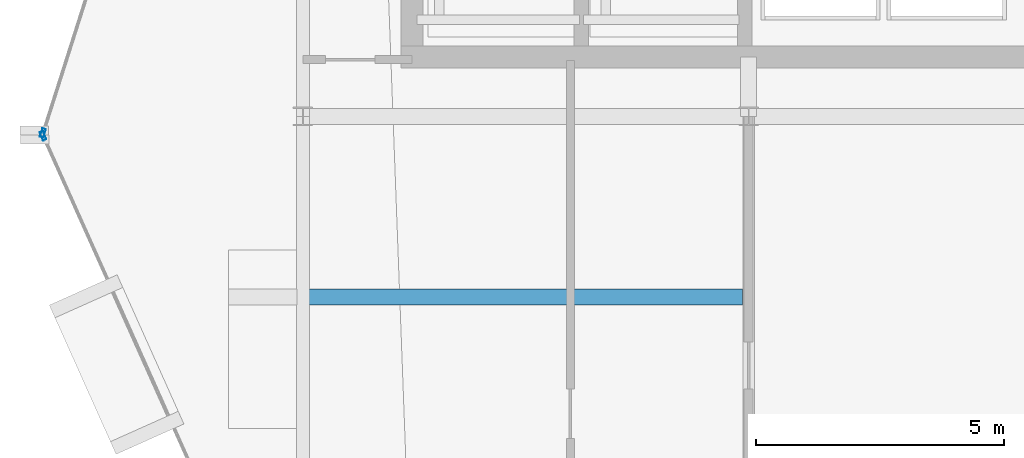
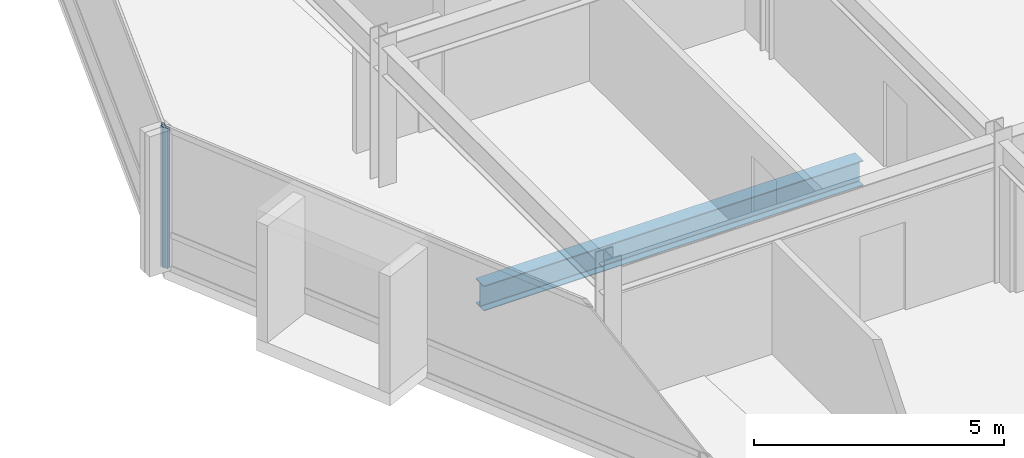
# One storey, part 6 of 19: 2 members, 1 beam, 2 elements without a shape of their own.
"""IFC4 building model written with IfcOpenShell, lengths in metres."""

from ifc_helpers import new_model, si_unit, direction, frame, origin, origin_2d, place, context, subcontext, project, spatial, hollow_rectangle, i_section, extrude, material, layer, layer_set, material_profile, profile_set, type_object, element, aggregate, save


model = new_model("IFC4")

# Units and contexts
model_context = context("Model", 3, precision=1e-05, world=origin(), true_north=direction((0.0, 1.0)))
body_context = subcontext(model_context, "Body", "Model", "MODEL_VIEW")
ifc_project = project(units=[si_unit("LENGTHUNIT", "METRE"), si_unit("AREAUNIT", "SQUARE_METRE"), si_unit("VOLUMEUNIT", "CUBIC_METRE"), si_unit("PLANEANGLEUNIT", "RADIAN"), si_unit("MASSUNIT", "GRAM", prefix="KILO")], contexts=[model_context])

# Site, building, storey
site_placement = place(None, origin())
site = spatial("IfcSite", under=ifc_project, at=site_placement, CompositionType="ELEMENT")
building_placement = place(site_placement, origin())
building = spatial("IfcBuilding", under=site, at=building_placement, Name="Solvaryn Broadcast Tower", CompositionType="ELEMENT")
storey_placement = place(building_placement, frame((0.0, 0.0, 270.39990234375)))
storey = spatial("IfcBuildingStorey", under=building, at=storey_placement, Name="L68", CompositionType="ELEMENT", Elevation=270.39990234375)

# Beam
ifc_material_1 = material(Name="Steel ASTM A992 Grade 50", Category="steel")
ifc_material_profile_1 = material_profile(ifc_material_1, i_section(OverallWidth=0.323974609375, OverallDepth=0.611083984375, WebThickness=0.0126953125, FlangeThickness=0.01904296875, FilletRadius=0.014892578125, at=origin_2d()))
ifc_profile_set_1 = profile_set([ifc_material_profile_1], Name="Steel ASTM A992 Grade 50")
beam_type = type_object("IfcBeamType", Name="BM-B1-W24X104", PredefinedType="BEAM", material=ifc_profile_set_1)
beam_placement = place(storey_placement, frame((17.875, 23.35009765625, -0.58544921875), z_axis=(-1.0, 0.0, 0.0), x_axis=(0.0, -1.0, 0.0)))
element("IfcBeam", 1, at=beam_placement, inside=storey, type_object=beam_type, Name="L68 Bay-Box Back-Span Beam 1", PredefinedType="BEAM", context=body_context, shape_type="SweptSolid", body=[
    extrude(i_section(OverallWidth=0.323974609375, OverallDepth=0.611083984375, WebThickness=0.0126953125, FlangeThickness=0.01904296875, FilletRadius=0.014892578125, at=origin_2d()), origin(), (0.0, 0.0, 1.0), 8.75),
])

# Curtain wall, member
ifc_material_2 = material(Name="Aluminium and Terracotta Unitised Curtain Wall", Category="masonry")
ifc_layer = layer(ifc_material_2, 0.199951171875)
ifc_layer_set = layer_set([ifc_layer], Name="CW-SYS2-LOWMID")
curtain_wall_type = type_object("IfcCurtainWallType", Name="CW-SYS2-LOWMID", PredefinedType="NOTDEFINED", material=ifc_layer_set)
curtain_wall_1_placement = place(storey_placement, origin())
curtain_wall_1 = element("IfcCurtainWall", 2, at=curtain_wall_1_placement, inside=storey, type_object=curtain_wall_type, Name="L68 Curtain Wall DR1", PredefinedType="NOTDEFINED")
ifc_material_3 = material(Name="Anodised Aluminium 6063-T6", Category="aluminium")
ifc_material_profile_2 = material_profile(ifc_material_3, hollow_rectangle(XDim=0.074951171875, YDim=0.179931640625, WallThickness=0.00390625, InnerFilletRadius=0.00390625, OuterFilletRadius=0.008056640625, at=origin_2d()))
ifc_profile_set_2 = profile_set([ifc_material_profile_2], Name="Anodised Aluminium 6063-T6")
member_type = type_object("IfcMemberType", Name="CW-MUL-180", PredefinedType="MULLION", material=ifc_profile_set_2)
member_1_placement = place(storey_placement, frame((3.7470703125, 26.66455078125, 0.0), z_axis=(0.0, 0.0, 1.0), x_axis=(0.952794594701, -0.30361564569, 0.0)))
member_1 = element("IfcMember", 3, at=member_1_placement, type_object=member_type, Name="CWS2 mullion 2", PredefinedType="MULLION", context=body_context, shape_type="SweptSolid", body=[
    extrude(hollow_rectangle(XDim=0.074951171875, YDim=0.179931640625, WallThickness=0.00390625, InnerFilletRadius=0.00390625, OuterFilletRadius=0.008056640625, at=origin_2d()), origin(), (0.0, 0.0, 1.0), 3.420166015625),
])
aggregate(curtain_wall_1, [member_1])

curtain_wall_2_placement = place(storey_placement, origin())
curtain_wall_2 = element("IfcCurtainWall", 4, at=curtain_wall_2_placement, inside=storey, type_object=curtain_wall_type, Name="L68 Curtain Wall DR2", PredefinedType="NOTDEFINED")
member_2_placement = place(storey_placement, frame((3.750244140625, 26.608642578125, 0.0), z_axis=(0.0, 0.0, 1.0), x_axis=(0.912773530574, 0.408466010682, 0.0)))
member_2 = element("IfcMember", 5, at=member_2_placement, type_object=member_type, Name="CWS2 mullion 1", PredefinedType="MULLION", context=body_context, shape_type="SweptSolid", body=[
    extrude(hollow_rectangle(XDim=0.074951171875, YDim=0.179931640625, WallThickness=0.00390625, InnerFilletRadius=0.00390625, OuterFilletRadius=0.008056640625, at=origin_2d()), origin(), (0.0, 0.0, 1.0), 3.420166015625),
])
aggregate(curtain_wall_2, [member_2])

save(model, "model.ifc")
